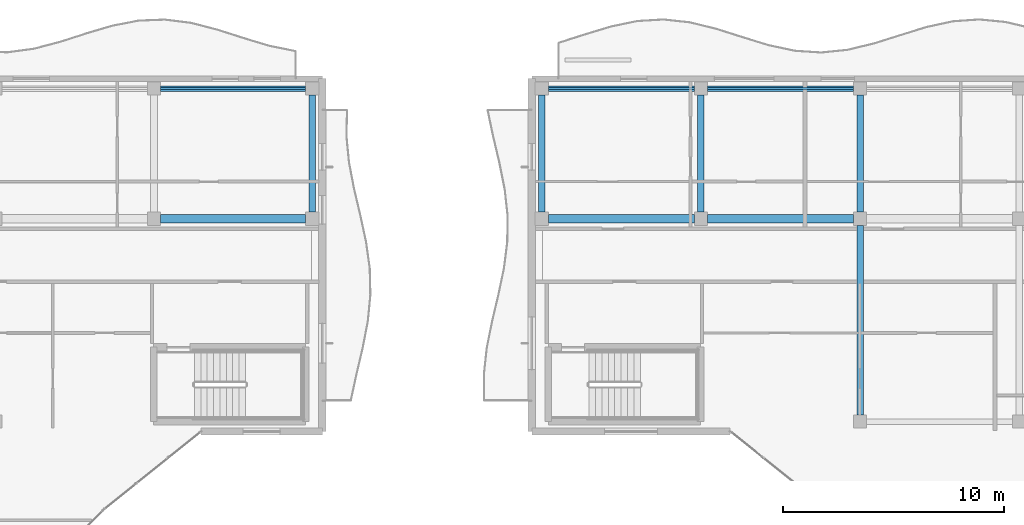
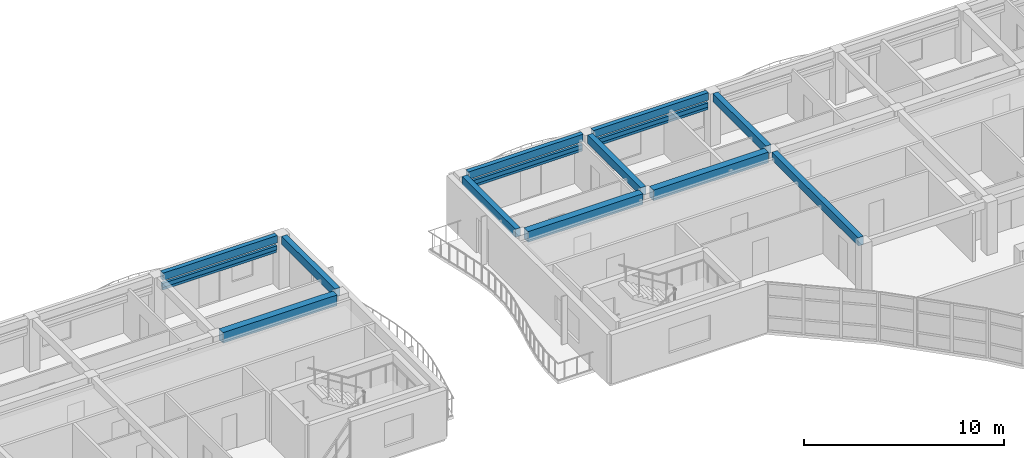
# One storey, part 19 of 71: 11 beams, 6 members.
"""IFC4 building model written with IfcOpenShell, lengths in metres."""

from ifc_helpers import new_model, si_unit, direction, frame, origin, origin_2d, place, context, subcontext, project, spatial, rectangle, hollow_rectangle, extrude, material, material_profile, profile_set, type_object, element, save


model = new_model("IFC4")

# Units and contexts
model_context = context("Model", 3, precision=1e-05, world=origin(), true_north=direction((0.0, 1.0)))
body_context = subcontext(model_context, "Body", "Model", "MODEL_VIEW")
ifc_project = project(units=[si_unit("LENGTHUNIT", "METRE"), si_unit("AREAUNIT", "SQUARE_METRE"), si_unit("VOLUMEUNIT", "CUBIC_METRE"), si_unit("PLANEANGLEUNIT", "RADIAN"), si_unit("MASSUNIT", "GRAM", prefix="KILO")], contexts=[model_context])

# Site, building, storey
site_placement = place(None, origin())
site = spatial("IfcSite", under=ifc_project, at=site_placement, CompositionType="ELEMENT")
building_placement = place(site_placement, origin())
building = spatial("IfcBuilding", under=site, at=building_placement, Name="Keldmere Railside Commons", CompositionType="ELEMENT")
storey_placement = place(building_placement, frame((0.0, 0.0, 20.159912109375)))
storey = spatial("IfcBuildingStorey", under=building, at=storey_placement, Name="L06", CompositionType="ELEMENT", Elevation=20.159912109375)

# Members
ifc_material_1 = material(Name="Steel F-36 (S355)", Category="steel")
ifc_material_profile_1 = material_profile(ifc_material_1, hollow_rectangle(XDim=0.14990234375, YDim=0.25, WallThickness=0.010009765625, at=origin_2d()), Name="RHS-250x150x10")
ifc_profile_set_1 = profile_set([ifc_material_profile_1], Name="Steel F-36 (S355)")
member_type_1 = type_object("IfcMemberType", Name="Balcony Continuous Planted Trough RHS250x150", PredefinedType="CHORD", material=ifc_profile_set_1)
member_1_placement = place(storey_placement, frame((130.1669921875, 115.550048828125, 2.4150390625), z_axis=(1.0, 0.0, 0.0), x_axis=(0.0, 1.0, 0.0)))
element("IfcMember", 1, at=member_1_placement, inside=storey, type_object=member_type_1, Name="PLT-1 MEM-BPLT-0733", PredefinedType="CHORD", context=body_context, shape_type="SweptSolid", body=[
    extrude(hollow_rectangle(XDim=0.14990234375, YDim=0.25, WallThickness=0.010009765625, at=origin_2d()), origin(), (0.0, 0.0, 1.0), 6.5830078125),
])
for number, where, z_axis, x_axis, name in (
    (2, (147.75, 115.550048828125, 2.4150390625), (1.0, 0.0, 0.0), (0.0, 1.0, 0.0), "PLT-1 MEM-BPLT-0751"),
    (3, (154.969970703125, 115.550048828125, 2.4150390625), (1.0, 0.0, 0.0), (0.0, 1.0, 0.0), "PLT-1 MEM-BPLT-0753"),
):
    element("IfcMember", number, at=place(storey_placement, frame(where, z_axis=z_axis, x_axis=x_axis)), inside=storey, type_object=member_type_1, Name=name, PredefinedType="CHORD", context=body_context, shape_type="SweptSolid", body=[
        extrude(hollow_rectangle(XDim=0.14990234375, YDim=0.25, WallThickness=0.010009765625, at=origin_2d()), origin(), (0.0, 0.0, 1.0), 6.6201171875),
    ])

# Beams
ifc_material_2 = material(Name="Architectural Precast Concrete H-35 (C35/45)", Category="concrete")
ifc_material_profile_2 = material_profile(ifc_material_2, rectangle(XDim=0.25, YDim=0.449951171875, at=origin_2d()), Name="RC-250x450")
ifc_profile_set_2 = profile_set([ifc_material_profile_2], Name="Architectural Precast Concrete H-35 (C35/45)")
beam_type_1 = type_object("IfcBeamType", Name="Perimeter Precast Spandrel Beam 250x450", PredefinedType="SPANDREL", material=ifc_profile_set_2)
beam_1_placement = place(storey_placement, frame((130.1669921875, 115.550048828125, 2.97509765625), z_axis=(1.0, 0.0, 0.0), x_axis=(0.0, 1.0, 0.0)))
element("IfcBeam", 4, at=beam_1_placement, inside=storey, type_object=beam_type_1, Name="SPB-1 BM-L06-1936", PredefinedType="SPANDREL", context=body_context, shape_type="SweptSolid", body=[
    extrude(rectangle(XDim=0.25, YDim=0.449951171875, at=origin_2d()), origin(), (0.0, 0.0, 1.0), 6.5830078125),
])
for number, where, z_axis, x_axis, name in (
    (5, (147.75, 115.550048828125, 2.97509765625), (1.0, 0.0, 0.0), (0.0, 1.0, 0.0), "SPB-1 BM-L06-1937"),
    (6, (154.969970703125, 115.550048828125, 2.97509765625), (1.0, 0.0, 0.0), (0.0, 1.0, 0.0), "SPB-1 BM-L06-1938"),
):
    element("IfcBeam", number, at=place(storey_placement, frame(where, z_axis=z_axis, x_axis=x_axis)), inside=storey, type_object=beam_type_1, Name=name, PredefinedType="SPANDREL", context=body_context, shape_type="SweptSolid", body=[
        extrude(rectangle(XDim=0.25, YDim=0.449951171875, at=origin_2d()), origin(), (0.0, 0.0, 1.0), 6.6201171875),
    ])
ifc_material_3 = material(Name="Concrete H-30 (C30/37)", Category="concrete")
ifc_material_profile_3 = material_profile(ifc_material_3, rectangle(XDim=0.39990234375, YDim=0.64990234375, at=origin_2d()), Name="RC-400x650")
ifc_profile_set_3 = profile_set([ifc_material_profile_3], Name="Concrete H-30 (C30/37)")
beam_type_2 = type_object("IfcBeamType", Name="Residential Spine RC Girder 400x650", PredefinedType="BEAM", material=ifc_profile_set_3)
beam_2_placement = place(storey_placement, frame((130.1669921875, 109.64990234375, 2.875), z_axis=(1.0, 0.0, 0.0), x_axis=(0.0, 1.0, 0.0)))
element("IfcBeam", 7, at=beam_2_placement, inside=storey, type_object=beam_type_2, Name="BG-3 BM-L06-1920", PredefinedType="BEAM", context=body_context, shape_type="SweptSolid", body=[
    extrude(rectangle(XDim=0.39990234375, YDim=0.64990234375, at=origin_2d()), origin(), (0.0, 0.0, 1.0), 6.5830078125),
])
for number, where, z_axis, x_axis, name in (
    (8, (147.75, 109.64990234375, 2.875), (1.0, 0.0, 0.0), (0.0, 1.0, 0.0), "BG-3 BM-L06-1921"),
    (9, (154.969970703125, 109.64990234375, 2.875), (1.0, 0.0, 0.0), (0.0, 1.0, 0.0), "BG-3 BM-L06-1922"),
):
    element("IfcBeam", number, at=place(storey_placement, frame(where, z_axis=z_axis, x_axis=x_axis)), inside=storey, type_object=beam_type_2, Name=name, PredefinedType="BEAM", context=body_context, shape_type="SweptSolid", body=[
        extrude(rectangle(XDim=0.39990234375, YDim=0.64990234375, at=origin_2d()), origin(), (0.0, 0.0, 1.0), 6.6201171875),
    ])
ifc_material_profile_4 = material_profile(ifc_material_3, rectangle(XDim=0.300048828125, YDim=0.5, at=origin_2d()), Name="RC-300x500")
ifc_profile_set_4 = profile_set([ifc_material_profile_4], Name="Concrete H-30 (C30/37)")
beam_type_3 = type_object("IfcBeamType", Name="Secondary Frame RC Beam 300x500", PredefinedType="BEAM", material=ifc_profile_set_4)
for number, where, z_axis, x_axis, name in (
    (10, (137.050048828125, 109.949951171875, 2.9501953125), (0.0, 1.0, 0.0), (-1.0, 0.0, 0.0), "BG-5 BM-L06-1996"),
    (11, (147.449951171875, 109.949951171875, 2.9501953125), (0.0, 1.0, 0.0), (-1.0, 0.0, 0.0), "BG-5 BM-L06-1997"),
    (12, (154.669921875, 109.949951171875, 2.9501953125), (0.0, 1.0, 0.0), (-1.0, 0.0, 0.0), "BG-5 BM-L06-1998"),
):
    element("IfcBeam", number, at=place(storey_placement, frame(where, z_axis=z_axis, x_axis=x_axis)), inside=storey, type_object=beam_type_3, Name=name, PredefinedType="BEAM", context=body_context, shape_type="SweptSolid", body=[
        extrude(rectangle(XDim=0.300048828125, YDim=0.5, at=origin_2d()), origin(), (0.0, 0.0, 1.0), 5.300048828125),
    ])
beam_3_placement = place(storey_placement, frame((161.889892578125, 100.75, 2.9501953125), z_axis=(0.0, 1.0, 0.0), x_axis=(-1.0, 0.0, 0.0)))
element("IfcBeam", 13, at=beam_3_placement, inside=storey, type_object=beam_type_3, Name="BG-5 BM-L06-1999", PredefinedType="BEAM", context=body_context, shape_type="SweptSolid", body=[
    extrude(rectangle(XDim=0.300048828125, YDim=0.5, at=origin_2d()), origin(), (0.0, 0.0, 1.0), 8.60009765625),
])
beam_4_placement = place(storey_placement, frame((161.889892578125, 109.949951171875, 2.9501953125), z_axis=(0.0, 1.0, 0.0), x_axis=(-1.0, 0.0, 0.0)))
element("IfcBeam", 14, at=beam_4_placement, inside=storey, type_object=beam_type_3, Name="BG-5 BM-L06-2000", PredefinedType="BEAM", context=body_context, shape_type="SweptSolid", body=[
    extrude(rectangle(XDim=0.300048828125, YDim=0.5, at=origin_2d()), origin(), (0.0, 0.0, 1.0), 5.300048828125),
])

# Members
ifc_material_profile_5 = material_profile(ifc_material_1, hollow_rectangle(XDim=0.10009765625, YDim=0.159912109375, WallThickness=0.008056640625, at=origin_2d()), Name="RHS-160x100x8")
ifc_profile_set_5 = profile_set([ifc_material_profile_5], Name="Steel F-36 (S355)")
member_type_2 = type_object("IfcMemberType", Name="Solar Brise-Soleil Louvre Fin RHS160x100", PredefinedType="STRUT", material=ifc_profile_set_5)
member_2_placement = place(storey_placement, frame((130.1669921875, 115.550048828125, 2.2001953125), z_axis=(1.0, 0.0, 0.0), x_axis=(0.0, 1.0, 0.0)))
element("IfcMember", 15, at=member_2_placement, inside=storey, type_object=member_type_2, Name="BSF-1 MEM-BSF-0734", PredefinedType="STRUT", context=body_context, shape_type="SweptSolid", body=[
    extrude(hollow_rectangle(XDim=0.10009765625, YDim=0.159912109375, WallThickness=0.008056640625, at=origin_2d()), origin(), (0.0, 0.0, 1.0), 6.5830078125),
])
for number, where, z_axis, x_axis, name in (
    (16, (147.75, 115.550048828125, 2.2001953125), (1.0, 0.0, 0.0), (0.0, 1.0, 0.0), "BSF-1 MEM-BSF-0752"),
    (17, (154.969970703125, 115.550048828125, 2.2001953125), (1.0, 0.0, 0.0), (0.0, 1.0, 0.0), "BSF-1 MEM-BSF-0754"),
):
    element("IfcMember", number, at=place(storey_placement, frame(where, z_axis=z_axis, x_axis=x_axis)), inside=storey, type_object=member_type_2, Name=name, PredefinedType="STRUT", context=body_context, shape_type="SweptSolid", body=[
        extrude(hollow_rectangle(XDim=0.10009765625, YDim=0.159912109375, WallThickness=0.008056640625, at=origin_2d()), origin(), (0.0, 0.0, 1.0), 6.6201171875),
    ])

save(model, "model.ifc")
